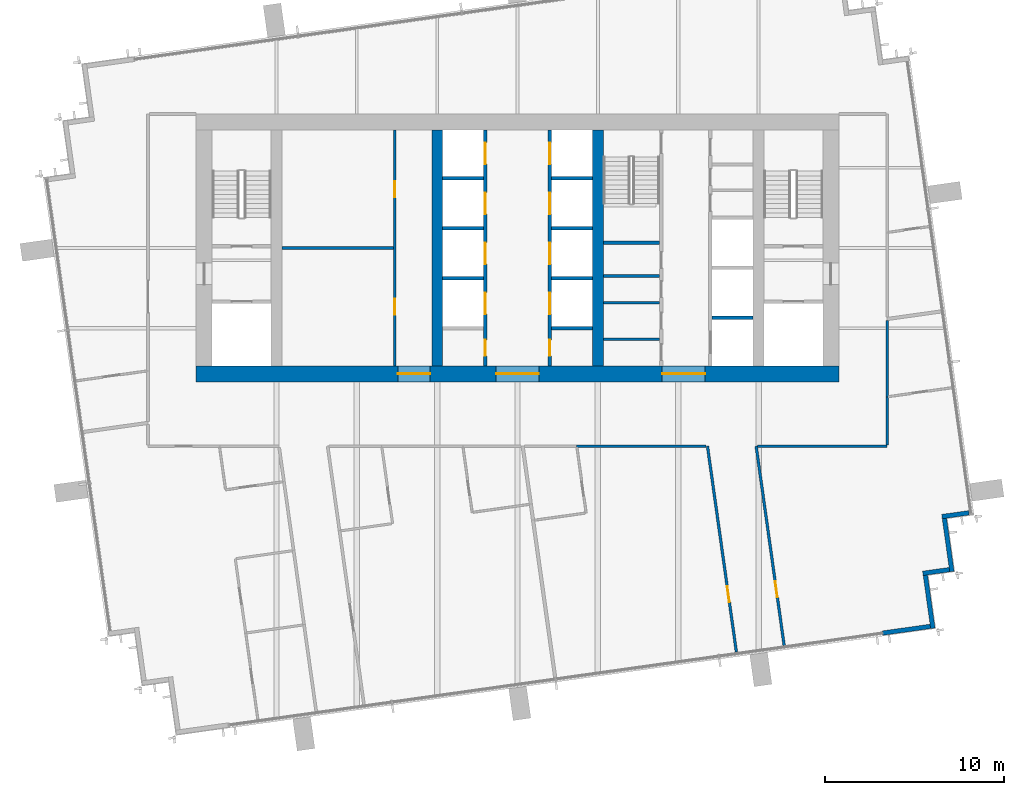
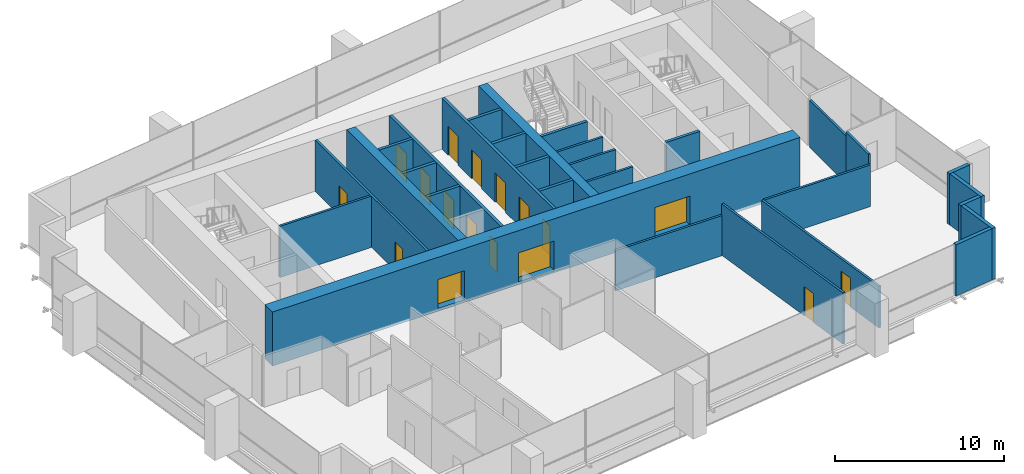
# One storey, part 9 of 12: 30 walls, 17 doors, 17 openings.
"""IFC4 building model written with IfcOpenShell, lengths in metres."""

import ifcopenshell
import ifcopenshell.guid

model = None  # the IFC model being written
_history = None  # IfcOwnerHistory: only IFC2X3 demands one
_inside = {}  # id of a spatial element -> (the spatial element, [elements in it])
_under = {}  # id of a project, library or spatial element -> (it, [spatial elements below it])
_declared = {}  # id of a project -> (the project, [libraries it declares])
_typed = {}  # id of a type object -> (the type object, [elements of that type])
_made_of = {}  # id of a material, layer set ... -> (it, [elements and type objects made of it])


def new_model(schema):
    """Start an empty IFC model of exactly this schema.

    Asked for "IFC4X3", IfcOpenShell would pick the latest addendum, in which some entities
    have other attributes; the version numbers below select the first issue.
    IFC2X3 requires an IfcOwnerHistory on every rooted entity: one is made here for all.
    """
    global model, _history
    if schema == "IFC4X3":
        model = ifcopenshell.file(schema_version=(4, 3, 0, 0))
    else:
        model = ifcopenshell.file(schema=schema)
    _inside.clear()
    _under.clear()
    _declared.clear()
    _typed.clear()
    _made_of.clear()
    _history = None
    if model.schema == "IFC2X3":
        org = make("IfcOrganization", Name="unknown")
        user = make(
            "IfcPersonAndOrganization",
            ThePerson=make("IfcPerson", FamilyName="unknown"),
            TheOrganization=org,
        )
        app = make(
            "IfcApplication",
            ApplicationDeveloper=org,
            Version="unknown",
            ApplicationFullName="unknown",
            ApplicationIdentifier="unknown",
        )
        _history = make(
            "IfcOwnerHistory",
            OwningUser=user,
            OwningApplication=app,
            ChangeAction="ADDED",
            CreationDate=0,
        )
    return model


def make(cls, **values):
    """One entity of the class cls with the attributes given. An attribute that is None is left unset."""
    return model.create_entity(
        cls, **{name: value for name, value in values.items() if value is not None}
    )


def rooted(cls, **values):
    """An entity with a GlobalId (a new one), such as an element, a storey or a relation."""
    return make(cls, GlobalId=ifcopenshell.guid.new(), OwnerHistory=_history, **values)


def si_unit(unit_type, name, prefix=None):
    """IfcSIUnit, for example si_unit("LENGTHUNIT", "METRE", prefix="MILLI")."""
    return make("IfcSIUnit", UnitType=unit_type, Prefix=prefix, Name=name)


def assignment(units):
    """IfcUnitAssignment: the units of a project."""
    return None if units is None else make("IfcUnitAssignment", Units=units)


def point(xyz):
    """IfcCartesianPoint."""
    return None if xyz is None else make("IfcCartesianPoint", Coordinates=xyz)


def direction(xyz):
    """IfcDirection."""
    return None if xyz is None else make("IfcDirection", DirectionRatios=xyz)


def frame(location, z_axis=None, x_axis=None):
    """IfcAxis2Placement3D, a coordinate frame: its origin and axes. An axis left out is left unset."""
    return make(
        "IfcAxis2Placement3D",
        Location=point(location),
        Axis=direction(z_axis),
        RefDirection=direction(x_axis),
    )


def frame_2d(location, x_axis=None):
    """IfcAxis2Placement2D, a coordinate frame in the plane: its origin and x axis."""
    return make(
        "IfcAxis2Placement2D", Location=point(location), RefDirection=direction(x_axis)
    )


def origin():
    """The frame at (0, 0, 0) with its axes left unset."""
    return frame((0.0, 0.0, 0.0))


def place(relative_to, where):
    """IfcLocalPlacement: puts the frame where relative to a parent placement (None: the world)."""
    return make(
        "IfcLocalPlacement", PlacementRelTo=relative_to, RelativePlacement=where
    )


def context(
    kind, dimensions, precision=None, world=None, true_north=None, identifier=None
):
    """IfcGeometricRepresentationContext, for example the 3D "Model" context."""
    return make(
        "IfcGeometricRepresentationContext",
        ContextIdentifier=identifier,
        ContextType=kind,
        CoordinateSpaceDimension=dimensions,
        Precision=precision,
        WorldCoordinateSystem=world,
        TrueNorth=true_north,
    )


def subcontext(parent, identifier, kind, view, scale=None):
    """IfcGeometricRepresentationSubContext, for example "Body" below "Model"."""
    return make(
        "IfcGeometricRepresentationSubContext",
        ContextIdentifier=identifier,
        ContextType=kind,
        ParentContext=parent,
        TargetScale=scale,
        TargetView=view,
    )


def project(units=None, contexts=None):
    """IfcProject with its units and contexts."""
    return rooted(
        "IfcProject",
        Name="project",
        RepresentationContexts=contexts,
        UnitsInContext=assignment(units),
    )


def spatial(cls, under=None, at=None, **own):
    """A site, building, storey or space (cls), placed at a placement, below another one or the project."""
    s = rooted(cls, ObjectPlacement=at, **own)
    if under is not None:
        _under.setdefault(under.id(), (under, []))[1].append(s)
    return s


def profile(cls, at=None, kind="AREA", **sizes):
    """A parametric profile (cls). Its sizes go by their IFC names, for example OverallWidth=200.0."""
    return make(cls, ProfileType=kind, Position=at, **sizes)


def rectangle(**sizes):
    """IfcRectangleProfileDef."""
    return profile("IfcRectangleProfileDef", **sizes)


def extrude(swept, where, along, depth):
    """IfcExtrudedAreaSolid: the profile swept, set in the frame where, extruded along a direction by depth."""
    return make(
        "IfcExtrudedAreaSolid",
        SweptArea=swept,
        Position=where,
        ExtrudedDirection=direction(along),
        Depth=depth,
    )


def shape(context_of_items, identifier, shape_type, items):
    """IfcShapeRepresentation: the items that make up one representation, for example the "Body"."""
    return make(
        "IfcShapeRepresentation",
        ContextOfItems=context_of_items,
        RepresentationIdentifier=identifier,
        RepresentationType=shape_type,
        Items=items,
    )


def material(Name=None, Category=None):
    """IfcMaterial."""
    return make("IfcMaterial", Name=Name, Category=Category)


def layer(
    of_material, thickness, ventilated=None, Name=None, Category=None, Priority=None
):
    """IfcMaterialLayer: one layer of a wall or slab, of a material (None: an air gap)."""
    return make(
        "IfcMaterialLayer",
        Material=of_material,
        LayerThickness=thickness,
        IsVentilated=ventilated,
        Name=Name,
        Category=Category,
        Priority=Priority,
    )


def layer_set(layers, Name=None):
    """IfcMaterialLayerSet."""
    return make("IfcMaterialLayerSet", MaterialLayers=layers, LayerSetName=Name)


def made_of(thing, what):
    """Note that an element or type object is made of a material, layer set ...; save() writes the relation."""
    if what is not None:
        _made_of.setdefault(what.id(), (what, []))[1].append(thing)
    return thing


def type_object(cls, material=None, **own):
    """A type object (cls), such as IfcWallType, which elements share."""
    return made_of(rooted(cls, **own), material)


def element(
    cls,
    number,
    at=None,
    inside=None,
    cuts=None,
    type_object=None,
    material=None,
    context=None,
    identifier="Body",
    shape_type=None,
    held_by="IfcProductDefinitionShape",
    body=None,
    shapes=None,
    **own,
):
    """One element of the class cls, such as IfcWall. Its Tag is "e" and its number.

    at: its placement. inside: the storey or other place that contains it. cuts: it is an
    opening in that element (IfcRelVoidsElement). A single representation is given by context,
    identifier, shape_type and body (its items); several are given by shapes. held_by: the class
    of the entity that holds the representations. save() writes the other relations.
    """
    e = rooted(cls, Tag="e%d" % number, ObjectPlacement=at, **own)
    if body is not None:
        shapes = [shape(context, identifier, shape_type, body)]
    if shapes is not None:
        e.Representation = make(held_by, Representations=shapes)
    if inside is not None:
        _inside.setdefault(inside.id(), (inside, []))[1].append(e)
    if cuts is not None:
        rooted(
            "IfcRelVoidsElement", RelatingBuildingElement=cuts, RelatedOpeningElement=e
        )
    if type_object is not None:
        _typed.setdefault(type_object.id(), (type_object, []))[1].append(e)
    return made_of(e, material)


def fill(opening, filler):
    """IfcRelFillsElement: the door or window that sits in an opening."""
    return rooted(
        "IfcRelFillsElement",
        RelatingOpeningElement=opening,
        RelatedBuildingElement=filler,
    )


def aggregate(whole, parts):
    """IfcRelAggregates: a whole, such as a stair, and the parts it consists of."""
    return rooted("IfcRelAggregates", RelatingObject=whole, RelatedObjects=parts)


def save(model, path):
    """Write the relations noted so far, then the file.

    IfcRelAggregates (storeys below a building ...), IfcRelContainedInSpatialStructure (elements
    in a storey), IfcRelDefinesByType, IfcRelAssociatesMaterial and IfcRelDeclares: one each for
    every whole, place, type object, material and project.
    """
    for whole, parts in _under.values():
        aggregate(whole, parts)
    for where, things in _inside.values():
        rooted(
            "IfcRelContainedInSpatialStructure",
            RelatedElements=things,
            RelatingStructure=where,
        )
    for kind, things in _typed.values():
        rooted("IfcRelDefinesByType", RelatedObjects=things, RelatingType=kind)
    for what, things in _made_of.values():
        rooted("IfcRelAssociatesMaterial", RelatedObjects=things, RelatingMaterial=what)
    for by, libraries in _declared.values():
        rooted("IfcRelDeclares", RelatingContext=by, RelatedDefinitions=libraries)
    model.write(path)


model = new_model("IFC4")

# Units and contexts
model_context = context("Model", 3, precision=1e-05, world=origin(), true_north=direction((0.0, 1.0)))
body_context = subcontext(model_context, "Body", "Model", "MODEL_VIEW")
ifc_project = project(units=[si_unit("LENGTHUNIT", "METRE"), si_unit("AREAUNIT", "SQUARE_METRE"), si_unit("VOLUMEUNIT", "CUBIC_METRE"), si_unit("PLANEANGLEUNIT", "RADIAN"), si_unit("MASSUNIT", "GRAM", prefix="KILO")], contexts=[model_context])

# Site, building, storey
site_placement = place(None, origin())
site = spatial("IfcSite", under=ifc_project, at=site_placement, CompositionType="ELEMENT")
building_placement = place(site_placement, origin())
building = spatial("IfcBuilding", under=site, at=building_placement, Name="Rattan Terrace Tower", CompositionType="ELEMENT")
storey_placement = place(building_placement, frame((0.0, 0.0, 270.699951171875)))
storey = spatial("IfcBuildingStorey", under=building, at=storey_placement, Name="L62", CompositionType="ELEMENT", Elevation=270.699951171875)

# Wall, openings, doors
ifc_material_1 = material(Name="Gypsum board partition")
ifc_layer_1 = layer(ifc_material_1, 0.14990234375)
ifc_layer_set_1 = layer_set([ifc_layer_1], Name="Core partition 150")
wall_type_1 = type_object("IfcWallType", Name="Core partition 150", PredefinedType="PARTITIONING", material=ifc_layer_set_1)
wall_1_placement = place(storey_placement, frame((-6.875, -6.60009765625, 0.0), z_axis=(0.0, 0.0, 1.0), x_axis=(0.0, 1.0, 0.0)))
wall_1 = element("IfcWall", 1, at=wall_1_placement, inside=storey, type_object=wall_type_1, Name="Core room wall", PredefinedType="PARTITIONING", context=body_context, shape_type="SweptSolid", body=[
    extrude(rectangle(XDim=13.2001953125, YDim=0.14990234375, at=frame_2d((6.60009765625, 0.0))), origin(), (0.0, 0.0, 1.0), 3.699951171875),
])
opening_1_placement = place(wall_1_placement, frame((2.85009765625, 0.0, 0.0)))
opening_1 = element("IfcOpeningElement", 2, at=opening_1_placement, cuts=wall_1, Name="Opening L62-D005", PredefinedType="OPENING", context=body_context, shape_type="SweptSolid", body=[
    extrude(rectangle(XDim=0.89990234375, YDim=2.10009765625, at=frame_2d((0.449951171875, 1.050048828125))), frame((0.0, 0.08544921875, 0.0), z_axis=(0.0, -1.0, 0.0), x_axis=(1.0, 0.0, 0.0)), (0.0, 0.0, 1.0), 0.1708984375),
])
opening_2_placement = place(wall_1_placement, frame((9.449951171875, 0.0, 0.0)))
opening_2 = element("IfcOpeningElement", 3, at=opening_2_placement, cuts=wall_1, Name="Opening L62-D006", PredefinedType="OPENING", context=body_context, shape_type="SweptSolid", body=[
    extrude(rectangle(XDim=0.89990234375, YDim=2.10009765625, at=frame_2d((0.449951171875, 1.050048828125))), frame((0.0, 0.08544921875, 0.0), z_axis=(0.0, -1.0, 0.0), x_axis=(1.0, 0.0, 0.0)), (0.0, 0.0, 1.0), 0.1708984375),
])
ifc_material_2 = material(Name="Hollow-metal fire door leaf")
door_type_1 = type_object("IfcDoorType", Name="Core service room door 900", OperationType="NOTDEFINED", PredefinedType="DOOR", material=ifc_material_2)
door_1_placement = place(opening_1_placement, origin())
door_1 = element("IfcDoor", 4, at=door_1_placement, inside=storey, type_object=door_type_1, Name="Door L62-D005", OperationType="SINGLE_SWING_RIGHT", OverallHeight=2.10009765625, OverallWidth=0.89990234375, PredefinedType="DOOR", context=body_context, shape_type="SweptSolid", body=[
    extrude(rectangle(XDim=0.89990234375, YDim=2.10009765625, at=frame_2d((0.449951171875, 1.050048828125))), frame((0.0, 0.02490234375, 0.0), z_axis=(0.0, -1.0, 0.0), x_axis=(1.0, 0.0, 0.0)), (0.0, 0.0, 1.0), 0.050048828125),
])
fill(opening_1, door_1)
door_2_placement = place(opening_2_placement, origin())
door_2 = element("IfcDoor", 5, at=door_2_placement, inside=storey, type_object=door_type_1, Name="Door L62-D006", OperationType="SINGLE_SWING_LEFT", OverallHeight=2.10009765625, OverallWidth=0.89990234375, PredefinedType="DOOR", context=body_context, shape_type="SweptSolid", body=[
    extrude(rectangle(XDim=0.89990234375, YDim=2.10009765625, at=frame_2d((0.449951171875, 1.050048828125))), frame((0.0, 0.02490234375, 0.0), z_axis=(0.0, -1.0, 0.0), x_axis=(1.0, 0.0, 0.0)), (0.0, 0.0, 1.0), 0.050048828125),
])
fill(opening_2, door_2)

# Walls
wall_2_placement = place(storey_placement, frame((-13.199951171875, 0.0, 0.0), z_axis=(0.0, 0.0, 1.0), x_axis=(1.0, 0.0, 0.0)))
element("IfcWall", 6, at=wall_2_placement, inside=storey, type_object=wall_type_1, Name="Core room wall", PredefinedType="PARTITIONING", context=body_context, shape_type="SweptSolid", body=[
    extrude(rectangle(XDim=6.25, YDim=0.14990234375, at=frame_2d((3.125, 0.0))), origin(), (0.0, 0.0, 1.0), 3.699951171875),
])
for number, where, z_axis, x_axis, name in (
    (7, (4.800048828125, -5.10400390625, 0.0), (0.0, 0.0, 1.0), (1.0, 0.0, 0.0), "Toilet wall"),
    (8, (4.800048828125, -3.06396484375, 0.0), (0.0, 0.0, 1.0), (1.0, 0.0, 0.0), "Toilet wall"),
    (9, (4.800048828125, -1.568115234375, 0.0), (0.0, 0.0, 1.0), (1.0, 0.0, 0.0), "Toilet wall"),
):
    element("IfcWall", number, at=place(storey_placement, frame(where, z_axis=z_axis, x_axis=x_axis)), inside=storey, type_object=wall_type_1, Name=name, PredefinedType="PARTITIONING", context=body_context, shape_type="SweptSolid", body=[
        extrude(rectangle(XDim=3.14990234375, YDim=0.14990234375, at=frame_2d((1.574951171875, 0.0))), origin(), (0.0, 0.0, 1.0), 3.699951171875),
    ])
ifc_material_3 = material(Name="Gypsum board partition")
ifc_layer_2 = layer(ifc_material_3, 0.199951171875)
ifc_layer_set_2 = layer_set([ifc_layer_2], Name="Core partition 200")
wall_type_2 = type_object("IfcWallType", Name="Core partition 200", PredefinedType="PARTITIONING", material=ifc_layer_set_2)
wall_3_placement = place(storey_placement, frame((4.800048828125, 0.300048828125, 0.0), z_axis=(0.0, 0.0, 1.0), x_axis=(1.0, 0.0, 0.0)))
element("IfcWall", 10, at=wall_3_placement, inside=storey, type_object=wall_type_2, Name="Stair enclosure wall", PredefinedType="PARTITIONING", context=body_context, shape_type="SweptSolid", body=[
    extrude(rectangle(XDim=3.14990234375, YDim=0.199951171875, at=frame_2d((1.574951171875, 0.0))), origin(), (0.0, 0.0, 1.0), 3.699951171875),
])

# Wall, openings, doors
ifc_material_4 = material(Name="Concrete C50/60", Category="concrete")
ifc_layer_3 = layer(ifc_material_4, 0.89990234375)
ifc_layer_set_3 = layer_set([ifc_layer_3], Name="Core ring wall 900 C50/60")
wall_type_3 = type_object("IfcWallType", Name="Core ring wall 900 C50/60", PredefinedType="SHEAR", material=ifc_layer_set_3)
wall_4_placement = place(storey_placement, frame((-18.0, -7.050048828125, -0.199951171875), z_axis=(0.0, 0.0, 1.0), x_axis=(1.0, 0.0, 0.0)))
wall_4 = element("IfcWall", 11, at=wall_4_placement, inside=storey, type_object=wall_type_3, Name="Rear core wall south", PredefinedType="SHEAR", context=body_context, shape_type="SweptSolid", body=[
    extrude(rectangle(XDim=36.0, YDim=0.89990234375, at=frame_2d((18.0, 0.0))), origin(), (0.0, 0.0, 1.0), 3.89990234375),
])
opening_3_placement = place(wall_4_placement, frame((11.300048828125, 0.0, 0.199951171875)))
opening_3 = element("IfcOpeningElement", 12, at=opening_3_placement, cuts=wall_4, Name="Opening L62-D007", PredefinedType="OPENING", context=body_context, shape_type="SweptSolid", body=[
    extrude(rectangle(XDim=1.800048828125, YDim=2.10009765625, at=frame_2d((0.89990234375, 1.050048828125))), frame((0.0, 0.46044921875, 0.0), z_axis=(0.0, -1.0, 0.0), x_axis=(1.0, 0.0, 0.0)), (0.0, 0.0, 1.0), 0.9208984375),
])
opening_4_placement = place(wall_4_placement, frame((16.800048828125, 0.0, 0.199951171875)))
opening_4 = element("IfcOpeningElement", 13, at=opening_4_placement, cuts=wall_4, Name="Opening L62-D010", PredefinedType="OPENING", context=body_context, shape_type="SweptSolid", body=[
    extrude(rectangle(XDim=2.39990234375, YDim=2.10009765625, at=frame_2d((1.199951171875, 1.050048828125))), frame((0.0, 0.46044921875, 0.0), z_axis=(0.0, -1.0, 0.0), x_axis=(1.0, 0.0, 0.0)), (0.0, 0.0, 1.0), 0.9208984375),
])
opening_5_placement = place(wall_4_placement, frame((26.10009765625, 0.0, 0.199951171875)))
opening_5 = element("IfcOpeningElement", 14, at=opening_5_placement, cuts=wall_4, Name="Opening L62-D016", PredefinedType="OPENING", context=body_context, shape_type="SweptSolid", body=[
    extrude(rectangle(XDim=2.39990234375, YDim=2.10009765625, at=frame_2d((1.199951171875, 1.050048828125))), frame((0.0, 0.46044921875, 0.0), z_axis=(0.0, -1.0, 0.0), x_axis=(1.0, 0.0, 0.0)), (0.0, 0.0, 1.0), 0.9208984375),
])
ifc_material_5 = material(Name="Hollow-metal fire door leaf")
door_type_2 = type_object("IfcDoorType", Name="Core lift lobby door 2400", OperationType="NOTDEFINED", PredefinedType="DOOR", material=ifc_material_5)
door_3_placement = place(opening_4_placement, origin())
door_3 = element("IfcDoor", 15, at=door_3_placement, inside=storey, type_object=door_type_2, Name="Door L62-D010", OperationType="DOUBLE_DOOR_DOUBLE_SWING", OverallHeight=2.10009765625, OverallWidth=2.39990234375, PredefinedType="DOOR", context=body_context, shape_type="SweptSolid", body=[
    extrude(rectangle(XDim=2.39990234375, YDim=2.10009765625, at=frame_2d((1.199951171875, 1.050048828125))), frame((0.0, 0.02490234375, 0.0), z_axis=(0.0, -1.0, 0.0), x_axis=(1.0, 0.0, 0.0)), (0.0, 0.0, 1.0), 0.050048828125),
])
fill(opening_4, door_3)
door_4_placement = place(opening_5_placement, origin())
door_4 = element("IfcDoor", 16, at=door_4_placement, inside=storey, type_object=door_type_2, Name="Door L62-D016", OperationType="DOUBLE_DOOR_DOUBLE_SWING", OverallHeight=2.10009765625, OverallWidth=2.39990234375, PredefinedType="DOOR", context=body_context, shape_type="SweptSolid", body=[
    extrude(rectangle(XDim=2.39990234375, YDim=2.10009765625, at=frame_2d((1.199951171875, 1.050048828125))), frame((0.0, 0.02490234375, 0.0), z_axis=(0.0, -1.0, 0.0), x_axis=(1.0, 0.0, 0.0)), (0.0, 0.0, 1.0), 0.050048828125),
])
fill(opening_5, door_4)
ifc_material_6 = material(Name="Hollow-metal fire door leaf")
door_type_3 = type_object("IfcDoorType", Name="Core service room door 1800", OperationType="NOTDEFINED", PredefinedType="DOOR", material=ifc_material_6)
door_5_placement = place(opening_3_placement, origin())
door_5 = element("IfcDoor", 17, at=door_5_placement, inside=storey, type_object=door_type_3, Name="Door L62-D007", OperationType="SINGLE_SWING_RIGHT", OverallHeight=2.10009765625, OverallWidth=1.800048828125, PredefinedType="DOOR", context=body_context, shape_type="SweptSolid", body=[
    extrude(rectangle(XDim=1.800048828125, YDim=2.10009765625, at=frame_2d((0.89990234375, 1.050048828125))), frame((0.0, 0.02490234375, 0.0), z_axis=(0.0, -1.0, 0.0), x_axis=(1.0, 0.0, 0.0)), (0.0, 0.0, 1.0), 0.050048828125),
])
fill(opening_3, door_5)

# Walls
ifc_material_7 = material(Name="Concrete C50/60", Category="concrete")
ifc_layer_4 = layer(ifc_material_7, 0.60009765625)
ifc_layer_set_4 = layer_set([ifc_layer_4], Name="Core spine wall 600 C50/60")
wall_type_4 = type_object("IfcWallType", Name="Core spine wall 600 C50/60", PredefinedType="SHEAR", material=ifc_layer_set_4)
for number, where, z_axis, x_axis, name in (
    (18, (-4.5, -6.60009765625, -0.199951171875), (0.0, 0.0, 1.0), (0.0, 1.0, 0.0), "Core spine wall 2"),
    (19, (4.5, -6.60009765625, -0.199951171875), (0.0, 0.0, 1.0), (0.0, 1.0, 0.0), "Core spine wall 3"),
):
    element("IfcWall", number, at=place(storey_placement, frame(where, z_axis=z_axis, x_axis=x_axis)), inside=storey, type_object=wall_type_4, Name=name, PredefinedType="SHEAR", context=body_context, shape_type="SweptSolid", body=[
        extrude(rectangle(XDim=13.2001953125, YDim=0.60009765625, at=frame_2d((6.60009765625, 0.0))), origin(), (0.0, 0.0, 1.0), 3.89990234375),
    ])
ifc_material_8 = material(Name="Insulated aluminium-clad stud wall", Category="aluminium")
ifc_layer_5 = layer(ifc_material_8, 0.25)
ifc_layer_set_5 = layer_set([ifc_layer_5], Name="Facade Riser Wall 250")
wall_type_5 = type_object("IfcWallType", Name="Facade Riser Wall 250", PredefinedType="SOLIDWALL", material=ifc_layer_set_5)
wall_5_placement = place(storey_placement, frame((20.4404296875, -21.571533203125, 0.0), z_axis=(0.0, 0.0, 1.0), x_axis=(0.990293105353, 0.138994839796, 0.0)))
element("IfcWall", 20, at=wall_5_placement, inside=storey, type_object=wall_type_5, Name="Riser wall L62-1", PredefinedType="SOLIDWALL", context=body_context, shape_type="SweptSolid", body=[
    extrude(rectangle(XDim=2.705078125, YDim=0.25, at=frame_2d((1.3525390625, 0.0))), origin(), (0.0, 0.0, 1.0), 3.699951171875),
])
wall_6_placement = place(storey_placement, frame((23.260498046875, -21.302001953125, 0.0), z_axis=(0.0, 0.0, 1.0), x_axis=(-0.138994228812, 0.990293191109, 0.0)))
element("IfcWall", 21, at=wall_6_placement, inside=storey, type_object=wall_type_5, Name="Riser wall L62-2", PredefinedType="SOLIDWALL", context=body_context, shape_type="SweptSolid", body=[
    extrude(rectangle(XDim=3.0, YDim=0.25, at=frame_2d((1.5, 0.0))), origin(), (0.0, 0.0, 1.0), 3.699951171875),
])
wall_7_placement = place(storey_placement, frame((22.7021484375, -18.224853515625, 0.0), z_axis=(0.0, 0.0, 1.0), x_axis=(0.990243596651, 0.13934711799, 0.0)))
element("IfcWall", 22, at=wall_7_placement, inside=storey, type_object=wall_type_5, Name="Riser wall L62-3", PredefinedType="SOLIDWALL", context=body_context, shape_type="SweptSolid", body=[
    extrude(rectangle(XDim=1.499755859375, YDim=0.25, at=frame_2d((0.75, 0.0))), origin(), (0.0, 0.0, 1.0), 3.699951171875),
])
wall_8_placement = place(storey_placement, frame((24.328369140625, -18.1220703125, 0.0), z_axis=(0.0, 0.0, 1.0), x_axis=(-0.139358350296, 0.990242015975, 0.0)))
element("IfcWall", 23, at=wall_8_placement, inside=storey, type_object=wall_type_5, Name="Riser wall L62-4", PredefinedType="SOLIDWALL", context=body_context, shape_type="SweptSolid", body=[
    extrude(rectangle(XDim=2.999267578125, YDim=0.25, at=frame_2d((1.49951171875, 0.0))), origin(), (0.0, 0.0, 1.0), 3.699951171875),
])
wall_9_placement = place(storey_placement, frame((23.769287109375, -15.045654296875, 0.0), z_axis=(0.0, 0.0, 1.0), x_axis=(0.990260716096, 0.139225407725, 0.0)))
element("IfcWall", 24, at=wall_9_placement, inside=storey, type_object=wall_type_5, Name="Riser wall L62-5", PredefinedType="SOLIDWALL", context=body_context, shape_type="SweptSolid", body=[
    extrude(rectangle(XDim=1.525634765625, YDim=0.25, at=frame_2d((0.7626953125, 0.0))), origin(), (0.0, 0.0, 1.0), 3.699951171875),
])

# Wall, opening, door
ifc_material_9 = material(Name="Gypsum board partition on steel studs, fire rated", Category="steel")
ifc_layer_6 = layer(ifc_material_9, 0.14990234375)
ifc_layer_set_6 = layer_set([ifc_layer_6], Name="Floors Tenancy Wall 150")
wall_type_6 = type_object("IfcWallType", Name="Floors Tenancy Wall 150", PredefinedType="PARTITIONING", material=ifc_layer_set_6)
wall_10_placement = place(storey_placement, frame((13.363037109375, -11.10009765625, 0.0), z_axis=(0.0, 0.0, 1.0), x_axis=(0.139172815303, -0.990268108888, 0.0)))
wall_10 = element("IfcWall", 25, at=wall_10_placement, inside=storey, type_object=wall_type_6, Name="pt-L62-008", PredefinedType="PARTITIONING", context=body_context, shape_type="SweptSolid", body=[
    extrude(rectangle(XDim=11.265625, YDim=0.14990234375, at=frame_2d((5.6328125, 0.0))), origin(), (0.0, 0.0, 1.0), 3.0),
])
opening_6_placement = place(wall_10_placement, frame((7.64892578125, 0.0, 0.0)))
opening_6 = element("IfcOpeningElement", 26, at=opening_6_placement, cuts=wall_10, Name="Opening L62-D104", PredefinedType="OPENING", context=body_context, shape_type="SweptSolid", body=[
    extrude(rectangle(XDim=0.89990234375, YDim=2.10009765625, at=frame_2d((0.449951171875, 1.050048828125))), frame((0.0, 0.08544921875, 0.0), z_axis=(0.0, -1.0, 0.0), x_axis=(1.0, 0.0, 0.0)), (0.0, 0.0, 1.0), 0.1708984375),
])
ifc_material_10 = material(Name="Steel fire door set", Category="steel")
door_type_4 = type_object("IfcDoorType", Name="Floors Fire Door FD30S 900x2100", OperationType="NOTDEFINED", PredefinedType="DOOR", material=ifc_material_10)
door_6_placement = place(opening_6_placement, origin())
door_6 = element("IfcDoor", 27, at=door_6_placement, inside=storey, type_object=door_type_4, Name="d-L62-104", OperationType="SINGLE_SWING_RIGHT", OverallHeight=2.10009765625, OverallWidth=0.89990234375, PredefinedType="DOOR", context=body_context, shape_type="SweptSolid", body=[
    extrude(rectangle(XDim=0.89990234375, YDim=2.10009765625, at=frame_2d((0.449951171875, 1.050048828125))), frame((0.0, 0.02490234375, 0.0), z_axis=(0.0, -1.0, 0.0), x_axis=(1.0, 0.0, 0.0)), (0.0, 0.0, 1.0), 0.050048828125),
])
fill(opening_6, door_6)

# Walls
wall_11_placement = place(storey_placement, frame((20.699951171875, -11.10009765625, 0.0), z_axis=(0.0, 0.0, 1.0), x_axis=(-1.0, 0.0, 0.0)))
element("IfcWall", 28, at=wall_11_placement, inside=storey, type_object=wall_type_6, Name="pt-L62-009", PredefinedType="PARTITIONING", context=body_context, shape_type="SweptSolid", body=[
    extrude(rectangle(XDim=7.2509765625, YDim=0.14990234375, at=frame_2d((3.62548828125, 0.0))), origin(), (0.0, 0.0, 1.0), 3.0),
])
wall_12_placement = place(storey_placement, frame((20.700927734375, -8.35791015625, 0.0), z_axis=(0.0, 0.0, 1.0), x_axis=(0.0, -1.0, 0.0)))
element("IfcWall", 29, at=wall_12_placement, inside=storey, type_object=wall_type_6, Name="pt-L62-010", PredefinedType="PARTITIONING", context=body_context, shape_type="SweptSolid", body=[
    extrude(rectangle(XDim=2.6669921875, YDim=0.14990234375, at=frame_2d((1.33349609375, 0.0))), origin(), (0.0, 0.0, 1.0), 3.699951171875),
])
wall_13_placement = place(storey_placement, frame((20.699951171875, -4.068115234375, 0.0), z_axis=(0.0, 0.0, 1.0), x_axis=(0.0, -1.0, 0.0)))
element("IfcWall", 30, at=wall_13_placement, inside=storey, type_object=wall_type_6, Name="pt-L62-011", PredefinedType="PARTITIONING", context=body_context, shape_type="SweptSolid", body=[
    extrude(rectangle(XDim=4.289794921875, YDim=0.14990234375, at=frame_2d((2.14501953125, 0.0))), origin(), (0.0, 0.0, 1.0), 3.400146484375),
])
wall_14_placement = place(storey_placement, frame((10.56298828125, -11.10009765625, 0.0), z_axis=(0.0, 0.0, 1.0), x_axis=(-1.0, 0.0, 0.0)))
element("IfcWall", 31, at=wall_14_placement, inside=storey, type_object=wall_type_6, Name="pt-L62-023", PredefinedType="PARTITIONING", context=body_context, shape_type="SweptSolid", body=[
    extrude(rectangle(XDim=7.26708984375, YDim=0.14990234375, at=frame_2d((3.633544921875, 0.0))), origin(), (0.0, 0.0, 1.0), 2.900146484375),
])

# Wall, opening, door
wall_15_placement = place(storey_placement, frame((12.257080078125, -22.631103515625, 0.0), z_axis=(0.0, 0.0, 1.0), x_axis=(-0.139134361512, 0.990273512443, 0.0)))
wall_15 = element("IfcWall", 32, at=wall_15_placement, inside=storey, type_object=wall_type_6, Name="pt-L62-024", PredefinedType="PARTITIONING", context=body_context, shape_type="SweptSolid", body=[
    extrude(rectangle(XDim=11.644287109375, YDim=0.14990234375, at=frame_2d((5.822265625, 0.0))), origin(), (0.0, 0.0, 1.0), 3.699951171875),
])
opening_7_placement = place(wall_15_placement, frame((2.81103515625, 0.0, 0.0)))
opening_7 = element("IfcOpeningElement", 33, at=opening_7_placement, cuts=wall_15, Name="Opening L62-D112", PredefinedType="OPENING", context=body_context, shape_type="SweptSolid", body=[
    extrude(rectangle(XDim=0.89990234375, YDim=2.10009765625, at=frame_2d((0.449951171875, 1.050048828125))), frame((0.0, 0.08544921875, 0.0), z_axis=(0.0, -1.0, 0.0), x_axis=(1.0, 0.0, 0.0)), (0.0, 0.0, 1.0), 0.1708984375),
])
door_7_placement = place(opening_7_placement, origin())
door_7 = element("IfcDoor", 34, at=door_7_placement, inside=storey, type_object=door_type_4, Name="d-L62-112", OperationType="SINGLE_SWING_LEFT", OverallHeight=2.10009765625, OverallWidth=0.89990234375, PredefinedType="DOOR", context=body_context, shape_type="SweptSolid", body=[
    extrude(rectangle(XDim=0.89990234375, YDim=2.10009765625, at=frame_2d((0.449951171875, 1.050048828125))), frame((0.0, 0.02490234375, 0.0), z_axis=(0.0, -1.0, 0.0), x_axis=(1.0, 0.0, 0.0)), (0.0, 0.0, 1.0), 0.050048828125),
])
fill(opening_7, door_7)

# Wall, openings, doors
ifc_material_11 = material(Name="Gypsum shaft wall system")
ifc_layer_7 = layer(ifc_material_11, 0.199951171875)
ifc_layer_set_7 = layer_set([ifc_layer_7], Name="Lift shaft wall 200")
wall_type_7 = type_object("IfcWallType", Name="Lift shaft wall 200", PredefinedType="PARTITIONING", material=ifc_layer_set_7)
wall_16_placement = place(storey_placement, frame((-1.800048828125, -6.60009765625, 0.0), z_axis=(0.0, 0.0, 1.0), x_axis=(0.0, 1.0, 0.0)))
wall_16 = element("IfcWall", 35, at=wall_16_placement, inside=storey, type_object=wall_type_7, Name="Lift shaft front wall", PredefinedType="PARTITIONING", context=body_context, shape_type="SweptSolid", body=[
    extrude(rectangle(XDim=13.2001953125, YDim=0.199951171875, at=frame_2d((6.60009765625, 0.0))), origin(), (0.0, 0.0, 1.0), 3.699951171875),
])
opening_8_placement = place(wall_16_placement, frame((0.550048828125, 0.0, 0.0)))
opening_8 = element("IfcOpeningElement", 36, at=opening_8_placement, cuts=wall_16, Name="Opening L62-D008", PredefinedType="OPENING", context=body_context, shape_type="SweptSolid", body=[
    extrude(rectangle(XDim=0.89990234375, YDim=2.10009765625, at=frame_2d((0.449951171875, 1.050048828125))), frame((0.0, 0.110595703125, 0.0), z_axis=(0.0, -1.0, 0.0), x_axis=(1.0, 0.0, 0.0)), (0.0, 0.0, 1.0), 0.220947265625),
])
opening_9_placement = place(wall_16_placement, frame((2.89990234375, 0.0, 0.0)))
opening_9 = element("IfcOpeningElement", 37, at=opening_9_placement, cuts=wall_16, Name="Opening L62-LD-HR1", PredefinedType="OPENING", context=body_context, shape_type="SweptSolid", body=[
    extrude(rectangle(XDim=1.199951171875, YDim=2.10009765625, at=frame_2d((0.60009765625, 1.050048828125))), frame((0.0, 0.110595703125, 0.0), z_axis=(0.0, -1.0, 0.0), x_axis=(1.0, 0.0, 0.0)), (0.0, 0.0, 1.0), 0.220947265625),
])
opening_10_placement = place(wall_16_placement, frame((5.699951171875, 0.0, 0.0)))
opening_10 = element("IfcOpeningElement", 38, at=opening_10_placement, cuts=wall_16, Name="Opening L62-LD-HR2", PredefinedType="OPENING", context=body_context, shape_type="SweptSolid", body=[
    extrude(rectangle(XDim=1.199951171875, YDim=2.10009765625, at=frame_2d((0.60009765625, 1.050048828125))), frame((0.0, 0.110595703125, 0.0), z_axis=(0.0, -1.0, 0.0), x_axis=(1.0, 0.0, 0.0)), (0.0, 0.0, 1.0), 0.220947265625),
])
opening_11_placement = place(wall_16_placement, frame((8.5, 0.0, 0.0)))
opening_11 = element("IfcOpeningElement", 39, at=opening_11_placement, cuts=wall_16, Name="Opening L62-LD-HR3", PredefinedType="OPENING", context=body_context, shape_type="SweptSolid", body=[
    extrude(rectangle(XDim=1.199951171875, YDim=2.10009765625, at=frame_2d((0.60009765625, 1.050048828125))), frame((0.0, 0.110595703125, 0.0), z_axis=(0.0, -1.0, 0.0), x_axis=(1.0, 0.0, 0.0)), (0.0, 0.0, 1.0), 0.220947265625),
])
opening_12_placement = place(wall_16_placement, frame((11.300048828125, 0.0, 0.0)))
opening_12 = element("IfcOpeningElement", 40, at=opening_12_placement, cuts=wall_16, Name="Opening L62-LD-HR4", PredefinedType="OPENING", context=body_context, shape_type="SweptSolid", body=[
    extrude(rectangle(XDim=1.199951171875, YDim=2.10009765625, at=frame_2d((0.60009765625, 1.050048828125))), frame((0.0, 0.110595703125, 0.0), z_axis=(0.0, -1.0, 0.0), x_axis=(1.0, 0.0, 0.0)), (0.0, 0.0, 1.0), 0.220947265625),
])
ifc_material_12 = material(Name="Brushed stainless landing door panel")
door_type_5 = type_object("IfcDoorType", Name="Core lift landing door 1200", OperationType="DOUBLE_DOOR_SLIDING", PredefinedType="DOOR", material=ifc_material_12)
door_8_placement = place(opening_9_placement, origin())
door_8 = element("IfcDoor", 41, at=door_8_placement, inside=storey, type_object=door_type_5, Name="Door L62-LD-HR1", OperationType="DOUBLE_DOOR_SLIDING", OverallHeight=2.10009765625, OverallWidth=1.199951171875, PredefinedType="DOOR", context=body_context, shape_type="SweptSolid", body=[
    extrude(rectangle(XDim=1.199951171875, YDim=2.10009765625, at=frame_2d((0.60009765625, 1.050048828125))), frame((0.0, 0.02490234375, 0.0), z_axis=(0.0, -1.0, 0.0), x_axis=(1.0, 0.0, 0.0)), (0.0, 0.0, 1.0), 0.050048828125),
])
fill(opening_9, door_8)
door_9_placement = place(opening_10_placement, origin())
door_9 = element("IfcDoor", 42, at=door_9_placement, inside=storey, type_object=door_type_5, Name="Door L62-LD-HR2", OperationType="DOUBLE_DOOR_SLIDING", OverallHeight=2.10009765625, OverallWidth=1.199951171875, PredefinedType="DOOR", context=body_context, shape_type="SweptSolid", body=[
    extrude(rectangle(XDim=1.199951171875, YDim=2.10009765625, at=frame_2d((0.60009765625, 1.050048828125))), frame((0.0, 0.02490234375, 0.0), z_axis=(0.0, -1.0, 0.0), x_axis=(1.0, 0.0, 0.0)), (0.0, 0.0, 1.0), 0.050048828125),
])
fill(opening_10, door_9)
door_10_placement = place(opening_11_placement, origin())
door_10 = element("IfcDoor", 43, at=door_10_placement, inside=storey, type_object=door_type_5, Name="Door L62-LD-HR3", OperationType="DOUBLE_DOOR_SLIDING", OverallHeight=2.10009765625, OverallWidth=1.199951171875, PredefinedType="DOOR", context=body_context, shape_type="SweptSolid", body=[
    extrude(rectangle(XDim=1.199951171875, YDim=2.10009765625, at=frame_2d((0.60009765625, 1.050048828125))), frame((0.0, 0.02490234375, 0.0), z_axis=(0.0, -1.0, 0.0), x_axis=(1.0, 0.0, 0.0)), (0.0, 0.0, 1.0), 0.050048828125),
])
fill(opening_11, door_10)
door_11_placement = place(opening_12_placement, origin())
door_11 = element("IfcDoor", 44, at=door_11_placement, inside=storey, type_object=door_type_5, Name="Door L62-LD-HR4", OperationType="DOUBLE_DOOR_SLIDING", OverallHeight=2.10009765625, OverallWidth=1.199951171875, PredefinedType="DOOR", context=body_context, shape_type="SweptSolid", body=[
    extrude(rectangle(XDim=1.199951171875, YDim=2.10009765625, at=frame_2d((0.60009765625, 1.050048828125))), frame((0.0, 0.02490234375, 0.0), z_axis=(0.0, -1.0, 0.0), x_axis=(1.0, 0.0, 0.0)), (0.0, 0.0, 1.0), 0.050048828125),
])
fill(opening_12, door_11)
ifc_material_13 = material(Name="Hollow-metal fire door leaf")
door_type_6 = type_object("IfcDoorType", Name="Core riser door 900", OperationType="NOTDEFINED", PredefinedType="DOOR", material=ifc_material_13)
door_12_placement = place(opening_8_placement, origin())
door_12 = element("IfcDoor", 45, at=door_12_placement, inside=storey, type_object=door_type_6, Name="Door L62-D008", OperationType="SINGLE_SWING_LEFT", OverallHeight=2.10009765625, OverallWidth=0.89990234375, PredefinedType="DOOR", context=body_context, shape_type="SweptSolid", body=[
    extrude(rectangle(XDim=0.89990234375, YDim=2.10009765625, at=frame_2d((0.449951171875, 1.050048828125))), frame((0.0, 0.02490234375, 0.0), z_axis=(0.0, -1.0, 0.0), x_axis=(1.0, 0.0, 0.0)), (0.0, 0.0, 1.0), 0.050048828125),
])
fill(opening_8, door_12)

wall_17_placement = place(storey_placement, frame((1.800048828125, -6.60009765625, 0.0), z_axis=(0.0, 0.0, 1.0), x_axis=(0.0, 1.0, 0.0)))
wall_17 = element("IfcWall", 46, at=wall_17_placement, inside=storey, type_object=wall_type_7, Name="Lift shaft front wall", PredefinedType="PARTITIONING", context=body_context, shape_type="SweptSolid", body=[
    extrude(rectangle(XDim=13.2001953125, YDim=0.199951171875, at=frame_2d((6.60009765625, 0.0))), origin(), (0.0, 0.0, 1.0), 3.699951171875),
])
opening_13_placement = place(wall_17_placement, frame((0.550048828125, 0.0, 0.0)))
opening_13 = element("IfcOpeningElement", 47, at=opening_13_placement, cuts=wall_17, Name="Opening L62-D009", PredefinedType="OPENING", context=body_context, shape_type="SweptSolid", body=[
    extrude(rectangle(XDim=0.89990234375, YDim=2.10009765625, at=frame_2d((0.449951171875, 1.050048828125))), frame((0.0, 0.110595703125, 0.0), z_axis=(0.0, -1.0, 0.0), x_axis=(1.0, 0.0, 0.0)), (0.0, 0.0, 1.0), 0.220947265625),
])
opening_14_placement = place(wall_17_placement, frame((2.89990234375, 0.0, 0.0)))
opening_14 = element("IfcOpeningElement", 48, at=opening_14_placement, cuts=wall_17, Name="Opening L62-LD-HR5", PredefinedType="OPENING", context=body_context, shape_type="SweptSolid", body=[
    extrude(rectangle(XDim=1.199951171875, YDim=2.10009765625, at=frame_2d((0.60009765625, 1.050048828125))), frame((0.0, 0.110595703125, 0.0), z_axis=(0.0, -1.0, 0.0), x_axis=(1.0, 0.0, 0.0)), (0.0, 0.0, 1.0), 0.220947265625),
])
opening_15_placement = place(wall_17_placement, frame((5.699951171875, 0.0, 0.0)))
opening_15 = element("IfcOpeningElement", 49, at=opening_15_placement, cuts=wall_17, Name="Opening L62-LD-HR6", PredefinedType="OPENING", context=body_context, shape_type="SweptSolid", body=[
    extrude(rectangle(XDim=1.199951171875, YDim=2.10009765625, at=frame_2d((0.60009765625, 1.050048828125))), frame((0.0, 0.110595703125, 0.0), z_axis=(0.0, -1.0, 0.0), x_axis=(1.0, 0.0, 0.0)), (0.0, 0.0, 1.0), 0.220947265625),
])
opening_16_placement = place(wall_17_placement, frame((8.5, 0.0, 0.0)))
opening_16 = element("IfcOpeningElement", 50, at=opening_16_placement, cuts=wall_17, Name="Opening L62-LD-HR7", PredefinedType="OPENING", context=body_context, shape_type="SweptSolid", body=[
    extrude(rectangle(XDim=1.199951171875, YDim=2.10009765625, at=frame_2d((0.60009765625, 1.050048828125))), frame((0.0, 0.110595703125, 0.0), z_axis=(0.0, -1.0, 0.0), x_axis=(1.0, 0.0, 0.0)), (0.0, 0.0, 1.0), 0.220947265625),
])
opening_17_placement = place(wall_17_placement, frame((11.300048828125, 0.0, 0.0)))
opening_17 = element("IfcOpeningElement", 51, at=opening_17_placement, cuts=wall_17, Name="Opening L62-LD-HR8", PredefinedType="OPENING", context=body_context, shape_type="SweptSolid", body=[
    extrude(rectangle(XDim=1.199951171875, YDim=2.10009765625, at=frame_2d((0.60009765625, 1.050048828125))), frame((0.0, 0.110595703125, 0.0), z_axis=(0.0, -1.0, 0.0), x_axis=(1.0, 0.0, 0.0)), (0.0, 0.0, 1.0), 0.220947265625),
])
door_13_placement = place(opening_14_placement, origin())
door_13 = element("IfcDoor", 52, at=door_13_placement, inside=storey, type_object=door_type_5, Name="Door L62-LD-HR5", OperationType="DOUBLE_DOOR_SLIDING", OverallHeight=2.10009765625, OverallWidth=1.199951171875, PredefinedType="DOOR", context=body_context, shape_type="SweptSolid", body=[
    extrude(rectangle(XDim=1.199951171875, YDim=2.10009765625, at=frame_2d((0.60009765625, 1.050048828125))), frame((0.0, 0.02490234375, 0.0), z_axis=(0.0, -1.0, 0.0), x_axis=(1.0, 0.0, 0.0)), (0.0, 0.0, 1.0), 0.050048828125),
])
fill(opening_14, door_13)
door_14_placement = place(opening_15_placement, origin())
door_14 = element("IfcDoor", 53, at=door_14_placement, inside=storey, type_object=door_type_5, Name="Door L62-LD-HR6", OperationType="DOUBLE_DOOR_SLIDING", OverallHeight=2.10009765625, OverallWidth=1.199951171875, PredefinedType="DOOR", context=body_context, shape_type="SweptSolid", body=[
    extrude(rectangle(XDim=1.199951171875, YDim=2.10009765625, at=frame_2d((0.60009765625, 1.050048828125))), frame((0.0, 0.02490234375, 0.0), z_axis=(0.0, -1.0, 0.0), x_axis=(1.0, 0.0, 0.0)), (0.0, 0.0, 1.0), 0.050048828125),
])
fill(opening_15, door_14)
door_15_placement = place(opening_16_placement, origin())
door_15 = element("IfcDoor", 54, at=door_15_placement, inside=storey, type_object=door_type_5, Name="Door L62-LD-HR7", OperationType="DOUBLE_DOOR_SLIDING", OverallHeight=2.10009765625, OverallWidth=1.199951171875, PredefinedType="DOOR", context=body_context, shape_type="SweptSolid", body=[
    extrude(rectangle(XDim=1.199951171875, YDim=2.10009765625, at=frame_2d((0.60009765625, 1.050048828125))), frame((0.0, 0.02490234375, 0.0), z_axis=(0.0, -1.0, 0.0), x_axis=(1.0, 0.0, 0.0)), (0.0, 0.0, 1.0), 0.050048828125),
])
fill(opening_16, door_15)
door_16_placement = place(opening_17_placement, origin())
door_16 = element("IfcDoor", 55, at=door_16_placement, inside=storey, type_object=door_type_5, Name="Door L62-LD-HR8", OperationType="DOUBLE_DOOR_SLIDING", OverallHeight=2.10009765625, OverallWidth=1.199951171875, PredefinedType="DOOR", context=body_context, shape_type="SweptSolid", body=[
    extrude(rectangle(XDim=1.199951171875, YDim=2.10009765625, at=frame_2d((0.60009765625, 1.050048828125))), frame((0.0, 0.02490234375, 0.0), z_axis=(0.0, -1.0, 0.0), x_axis=(1.0, 0.0, 0.0)), (0.0, 0.0, 1.0), 0.050048828125),
])
fill(opening_17, door_16)
door_17_placement = place(opening_13_placement, origin())
door_17 = element("IfcDoor", 56, at=door_17_placement, inside=storey, type_object=door_type_6, Name="Door L62-D009", OperationType="SINGLE_SWING_RIGHT", OverallHeight=2.10009765625, OverallWidth=0.89990234375, PredefinedType="DOOR", context=body_context, shape_type="SweptSolid", body=[
    extrude(rectangle(XDim=0.89990234375, YDim=2.10009765625, at=frame_2d((0.449951171875, 1.050048828125))), frame((0.0, 0.02490234375, 0.0), z_axis=(0.0, -1.0, 0.0), x_axis=(1.0, 0.0, 0.0)), (0.0, 0.0, 1.0), 0.050048828125),
])
fill(opening_13, door_17)

# Walls
for number, where, z_axis, x_axis, name in (
    (57, (-4.199951171875, -1.699951171875, 0.0), (0.0, 0.0, 1.0), (1.0, 0.0, 0.0), "Lift shaft wall"),
    (58, (-4.199951171875, 1.10009765625, 0.0), (0.0, 0.0, 1.0), (1.0, 0.0, 0.0), "Lift shaft wall"),
    (59, (-4.199951171875, 3.89990234375, 0.0), (0.0, 0.0, 1.0), (1.0, 0.0, 0.0), "Lift shaft wall"),
    (60, (1.89990234375, -1.699951171875, 0.0), (0.0, 0.0, 1.0), (1.0, 0.0, 0.0), "Lift shaft wall"),
    (61, (1.89990234375, 1.10009765625, 0.0), (0.0, 0.0, 1.0), (1.0, 0.0, 0.0), "Lift shaft wall"),
    (62, (1.89990234375, 3.89990234375, 0.0), (0.0, 0.0, 1.0), (1.0, 0.0, 0.0), "Lift shaft wall"),
    (63, (1.89990234375, -4.5, 0.0), (0.0, 0.0, 1.0), (1.0, 0.0, 0.0), "Lift shaft wall"),
    (64, (10.89990234375, -3.89990234375, 0.0), (0.0, 0.0, 1.0), (1.0, 0.0, 0.0), "Lift shaft wall"),
):
    element("IfcWall", number, at=place(storey_placement, frame(where, z_axis=z_axis, x_axis=x_axis)), inside=storey, type_object=wall_type_7, Name=name, PredefinedType="PARTITIONING", context=body_context, shape_type="SweptSolid", body=[
        extrude(rectangle(XDim=2.300048828125, YDim=0.199951171875, at=frame_2d((1.14990234375, 0.0))), origin(), (0.0, 0.0, 1.0), 3.699951171875),
    ])

save(model, "model.ifc")
